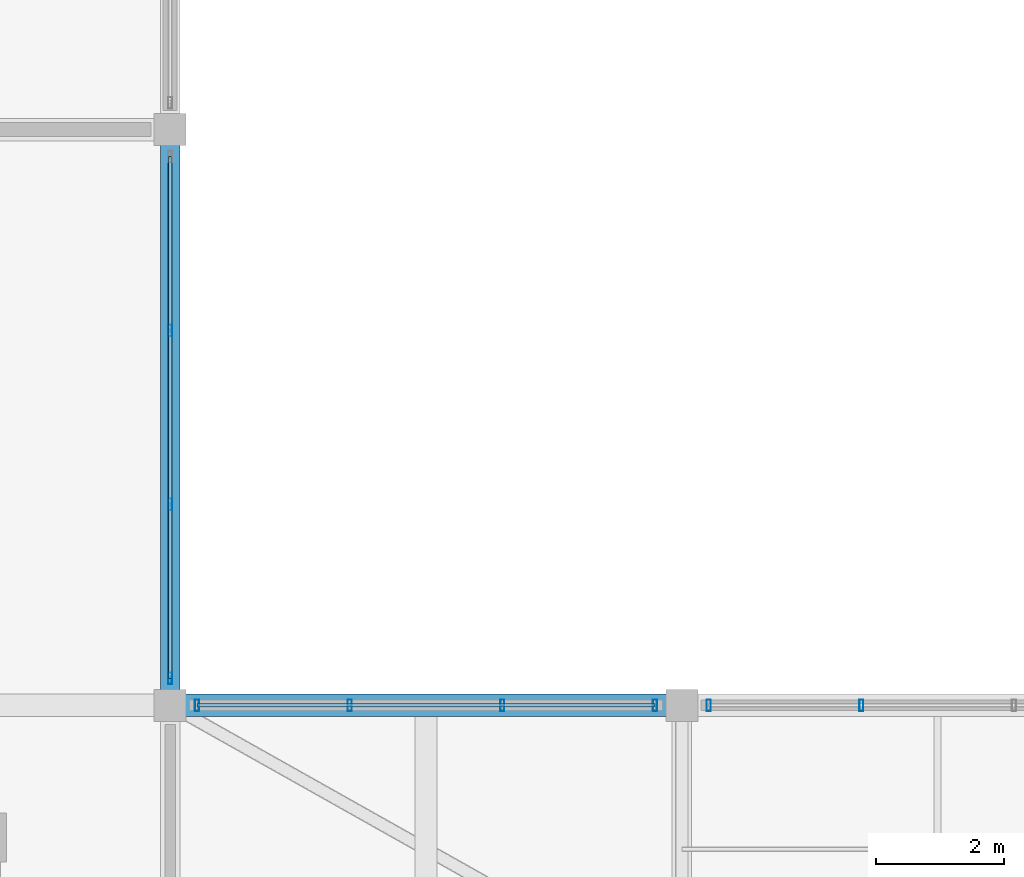
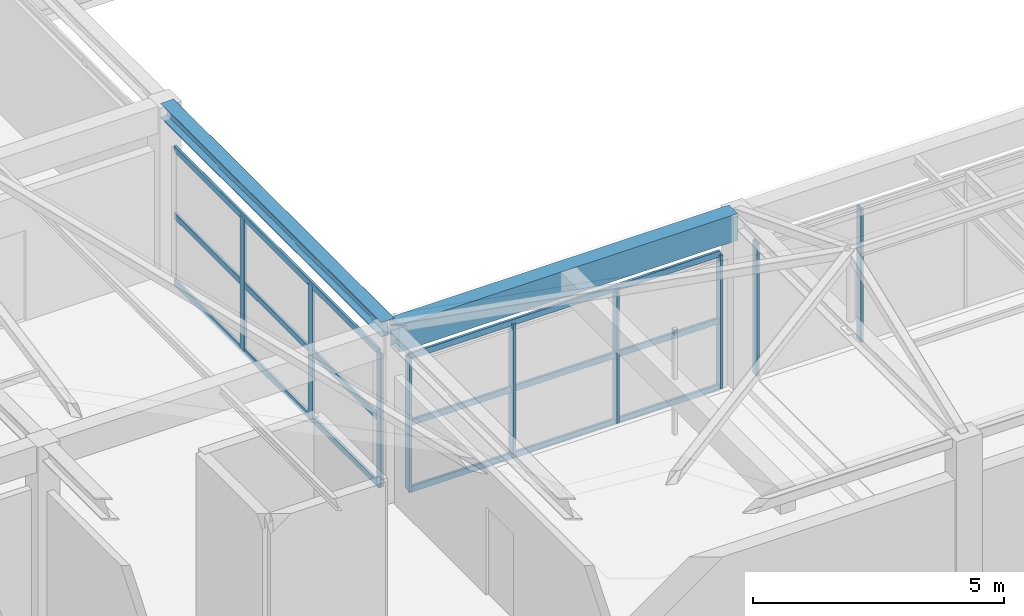
# One storey, part 24 of 65: 15 members, 2 beams, 3 elements without a shape of their own.
"""IFC4 building model written with IfcOpenShell, lengths in metres."""

from ifc_helpers import new_model, si_unit, direction, frame, origin, origin_2d, place, context, subcontext, project, spatial, rectangle, hollow_rectangle, i_section, extrude, material, material_profile, profile_set, type_object, element, aggregate, save


model = new_model("IFC4")

# Units and contexts
model_context = context("Model", 3, precision=1e-05, world=origin(), true_north=direction((0.0, 1.0)))
body_context = subcontext(model_context, "Body", "Model", "MODEL_VIEW")
ifc_project = project(units=[si_unit("LENGTHUNIT", "METRE"), si_unit("AREAUNIT", "SQUARE_METRE"), si_unit("VOLUMEUNIT", "CUBIC_METRE"), si_unit("PLANEANGLEUNIT", "RADIAN"), si_unit("MASSUNIT", "GRAM", prefix="KILO")], contexts=[model_context])

# Site, building, storey
site_placement = place(None, origin())
site = spatial("IfcSite", under=ifc_project, at=site_placement, CompositionType="ELEMENT")
building_placement = place(site_placement, origin())
building = spatial("IfcBuilding", under=site, at=building_placement, Name="Varnabhumi Central Station", CompositionType="ELEMENT")
storey_placement = place(building_placement, frame((0.0, 0.0, 24.60009765625)))
storey = spatial("IfcBuildingStorey", under=building, at=storey_placement, Name="L05", CompositionType="ELEMENT", Elevation=24.60009765625)

# Beams
ifc_material_1 = material(Name="Concrete M40", Category="concrete")
ifc_material_profile_1 = material_profile(ifc_material_1, rectangle(XDim=0.35009765625, YDim=0.64990234375, at=origin_2d()), Name="Concrete M40", Category="concrete")
ifc_profile_set_1 = profile_set([ifc_material_profile_1], Name="Concrete M40")
beam_type_1 = type_object("IfcBeamType", Name="BM-RC-350x650", PredefinedType="BEAM", material=ifc_profile_set_1)
beam_1_placement = place(storey_placement, frame((112.10009765625, 9.0, 3.875), z_axis=(1.0, 0.0, 0.0), x_axis=(0.0, 1.0, 0.0)))
element("IfcBeam", 1, at=beam_1_placement, inside=storey, type_object=beam_type_1, Name="Beam L05-B:15-16", PredefinedType="BEAM", context=body_context, shape_type="SweptSolid", body=[
    extrude(rectangle(XDim=0.35009765625, YDim=0.64990234375, at=origin_2d()), origin(), (0.0, 0.0, 1.0), 7.7998046875),
])
ifc_material_2 = material(Name="Structural steel E350", Category="steel")
ifc_material_profile_2 = material_profile(ifc_material_2, i_section(OverallWidth=0.300048828125, OverallDepth=0.360107421875, WebThickness=0.012451171875, FlangeThickness=0.0224609375, FilletRadius=0.027099609375, at=origin_2d()), Name="Structural steel E350", Category="steel")
ifc_profile_set_2 = profile_set([ifc_material_profile_2], Name="Structural steel E350")
beam_type_2 = type_object("IfcBeamType", Name="BM-STL-WPB360", PredefinedType="BEAM", material=ifc_profile_set_2)
beam_2_placement = place(storey_placement, frame((112.0, 9.10009765625, 4.02001953125), z_axis=(0.0, 1.0, 0.0), x_axis=(-1.0, 0.0, 0.0)))
element("IfcBeam", 2, at=beam_2_placement, inside=storey, type_object=beam_type_2, Name="Beam L05-15:B-C", PredefinedType="BEAM", context=body_context, shape_type="SweptSolid", body=[
    extrude(i_section(OverallWidth=0.300048828125, OverallDepth=0.360107421875, WebThickness=0.012451171875, FlangeThickness=0.0224609375, FilletRadius=0.027099609375, at=origin_2d()), origin(), (0.0, 0.0, 1.0), 8.7998046875),
])

# Curtain wall, members
ifc_material_3 = material(Name="Anodised aluminium 6063-T6", Category="aluminium")
curtain_wall_type = type_object("IfcCurtainWallType", Name="CW-PATIO-LOGGIA-L3", PredefinedType="NOTDEFINED", material=ifc_material_3)
curtain_wall_1_placement = place(storey_placement, origin())
curtain_wall_1 = element("IfcCurtainWall", 3, at=curtain_wall_1_placement, inside=storey, type_object=curtain_wall_type, Name="Curtain Wall CW-SP5E1", PredefinedType="NOTDEFINED")
ifc_material_profile_3 = material_profile(ifc_material_3, hollow_rectangle(XDim=0.06494140625, YDim=0.179931640625, WallThickness=0.00390625, InnerFilletRadius=0.001953125, OuterFilletRadius=0.006103515625, at=origin_2d()), Name="Anodised aluminium 6063-T6", Category="aluminium")
ifc_profile_set_3 = profile_set([ifc_material_profile_3], Name="Anodised aluminium 6063-T6")
member_type_1 = type_object("IfcMemberType", Name="CW-MUL-180", PredefinedType="MULLION", material=ifc_profile_set_3)
member_1_placement = place(storey_placement, frame((112.0, 9.419921875, 0.0), z_axis=(0.0, 0.0, 1.0), x_axis=(1.0, 0.0, 0.0)))
member_1 = element("IfcMember", 4, at=member_1_placement, type_object=member_type_1, Name="Curtain Wall Mullion CW-SP5E1-M1", PredefinedType="MULLION", context=body_context, shape_type="SweptSolid", body=[
    extrude(hollow_rectangle(XDim=0.06494140625, YDim=0.179931640625, WallThickness=0.00390625, InnerFilletRadius=0.001953125, OuterFilletRadius=0.006103515625, at=origin_2d()), origin(), (0.0, 0.0, 1.0), 3.239990234375),
])
member_2_placement = place(storey_placement, frame((112.0, 12.139892578125, 0.0), z_axis=(0.0, 0.0, 1.0), x_axis=(1.0, 0.0, 0.0)))
member_2 = element("IfcMember", 5, at=member_2_placement, type_object=member_type_1, Name="Curtain Wall Mullion CW-SP5E1-M2", PredefinedType="MULLION", context=body_context, shape_type="SweptSolid", body=[
    extrude(hollow_rectangle(XDim=0.06494140625, YDim=0.179931640625, WallThickness=0.00390625, InnerFilletRadius=0.001953125, OuterFilletRadius=0.006103515625, at=origin_2d()), origin(), (0.0, 0.0, 1.0), 3.239990234375),
])
member_3_placement = place(storey_placement, frame((112.0, 14.860107421875, 0.0), z_axis=(0.0, 0.0, 1.0), x_axis=(1.0, 0.0, 0.0)))
member_3 = element("IfcMember", 6, at=member_3_placement, type_object=member_type_1, Name="Curtain Wall Mullion CW-SP5E1-M3", PredefinedType="MULLION", context=body_context, shape_type="SweptSolid", body=[
    extrude(hollow_rectangle(XDim=0.06494140625, YDim=0.179931640625, WallThickness=0.00390625, InnerFilletRadius=0.001953125, OuterFilletRadius=0.006103515625, at=origin_2d()), origin(), (0.0, 0.0, 1.0), 3.239990234375),
])

curtain_wall_2_placement = place(storey_placement, origin())
curtain_wall_2 = element("IfcCurtainWall", 7, at=curtain_wall_2_placement, inside=storey, type_object=curtain_wall_type, Name="Curtain Wall CW-SP5S1", PredefinedType="NOTDEFINED")
member_4_placement = place(storey_placement, frame((112.419921875, 9.0, 0.0), z_axis=(0.0, 0.0, 1.0), x_axis=(1.0, 0.0, 0.0)))
member_4 = element("IfcMember", 8, at=member_4_placement, type_object=member_type_1, Name="Curtain Wall Mullion CW-SP5S1-M1", PredefinedType="MULLION", context=body_context, shape_type="SweptSolid", body=[
    extrude(hollow_rectangle(XDim=0.06494140625, YDim=0.179931640625, WallThickness=0.00390625, InnerFilletRadius=0.001953125, OuterFilletRadius=0.006103515625, at=origin_2d()), origin(), (0.0, 0.0, 1.0), 3.239990234375),
])
member_5_placement = place(storey_placement, frame((114.806640625, 9.0, 0.0), z_axis=(0.0, 0.0, 1.0), x_axis=(1.0, 0.0, 0.0)))
member_5 = element("IfcMember", 9, at=member_5_placement, type_object=member_type_1, Name="Curtain Wall Mullion CW-SP5S1-M2", PredefinedType="MULLION", context=body_context, shape_type="SweptSolid", body=[
    extrude(hollow_rectangle(XDim=0.06494140625, YDim=0.179931640625, WallThickness=0.00390625, InnerFilletRadius=0.001953125, OuterFilletRadius=0.006103515625, at=origin_2d()), origin(), (0.0, 0.0, 1.0), 3.239990234375),
])
member_6_placement = place(storey_placement, frame((117.193359375, 9.0, 0.0), z_axis=(0.0, 0.0, 1.0), x_axis=(1.0, 0.0, 0.0)))
member_6 = element("IfcMember", 10, at=member_6_placement, type_object=member_type_1, Name="Curtain Wall Mullion CW-SP5S1-M3", PredefinedType="MULLION", context=body_context, shape_type="SweptSolid", body=[
    extrude(hollow_rectangle(XDim=0.06494140625, YDim=0.179931640625, WallThickness=0.00390625, InnerFilletRadius=0.001953125, OuterFilletRadius=0.006103515625, at=origin_2d()), origin(), (0.0, 0.0, 1.0), 3.239990234375),
])
member_7_placement = place(storey_placement, frame((119.580078125, 9.0, 0.0), z_axis=(0.0, 0.0, 1.0), x_axis=(1.0, 0.0, 0.0)))
member_7 = element("IfcMember", 11, at=member_7_placement, type_object=member_type_1, Name="Curtain Wall Mullion CW-SP5S1-M4", PredefinedType="MULLION", context=body_context, shape_type="SweptSolid", body=[
    extrude(hollow_rectangle(XDim=0.06494140625, YDim=0.179931640625, WallThickness=0.00390625, InnerFilletRadius=0.001953125, OuterFilletRadius=0.006103515625, at=origin_2d()), origin(), (0.0, 0.0, 1.0), 3.239990234375),
])

curtain_wall_3_placement = place(storey_placement, origin())
curtain_wall_3 = element("IfcCurtainWall", 12, at=curtain_wall_3_placement, inside=storey, type_object=curtain_wall_type, Name="Curtain Wall CW-SP5S2", PredefinedType="NOTDEFINED")
member_8_placement = place(storey_placement, frame((120.419921875, 9.0, 0.0), z_axis=(0.0, 0.0, 1.0), x_axis=(1.0, 0.0, 0.0)))
member_8 = element("IfcMember", 13, at=member_8_placement, type_object=member_type_1, Name="Curtain Wall Mullion CW-SP5S2-M1", PredefinedType="MULLION", context=body_context, shape_type="SweptSolid", body=[
    extrude(hollow_rectangle(XDim=0.06494140625, YDim=0.179931640625, WallThickness=0.00390625, InnerFilletRadius=0.001953125, OuterFilletRadius=0.006103515625, at=origin_2d()), origin(), (0.0, 0.0, 1.0), 3.239990234375),
])
member_9_placement = place(storey_placement, frame((122.806640625, 9.0, 0.0), z_axis=(0.0, 0.0, 1.0), x_axis=(1.0, 0.0, 0.0)))
member_9 = element("IfcMember", 14, at=member_9_placement, type_object=member_type_1, Name="Curtain Wall Mullion CW-SP5S2-M2", PredefinedType="MULLION", context=body_context, shape_type="SweptSolid", body=[
    extrude(hollow_rectangle(XDim=0.06494140625, YDim=0.179931640625, WallThickness=0.00390625, InnerFilletRadius=0.001953125, OuterFilletRadius=0.006103515625, at=origin_2d()), origin(), (0.0, 0.0, 1.0), 3.239990234375),
])
aggregate(curtain_wall_3, [member_8, member_9])

# Member
ifc_material_profile_4 = material_profile(ifc_material_3, hollow_rectangle(XDim=0.06005859375, YDim=0.14990234375, WallThickness=0.00390625, InnerFilletRadius=0.001953125, OuterFilletRadius=0.006103515625, at=origin_2d()), Name="Anodised aluminium 6063-T6", Category="aluminium")
ifc_profile_set_4 = profile_set([ifc_material_profile_4], Name="Anodised aluminium 6063-T6")
member_type_2 = type_object("IfcMemberType", Name="CW-TR-150", PredefinedType="USERDEFINED", material=ifc_profile_set_4)
member_10_placement = place(storey_placement, frame((112.0, 9.419921875, 0.0), z_axis=(0.0, 1.0, 0.0), x_axis=(-1.0, 0.0, 0.0)))
member_10 = element("IfcMember", 15, at=member_10_placement, type_object=member_type_2, Name="Curtain Wall Transom CW-SP5E1-T1", ObjectType="TRANSOM", PredefinedType="USERDEFINED", context=body_context, shape_type="SweptSolid", body=[
    extrude(hollow_rectangle(XDim=0.06005859375, YDim=0.14990234375, WallThickness=0.00390625, InnerFilletRadius=0.001953125, OuterFilletRadius=0.006103515625, at=origin_2d()), origin(), (0.0, 0.0, 1.0), 8.16015625),
])

member_11_placement = place(storey_placement, frame((112.0, 9.419921875, 1.619873046875), z_axis=(0.0, 1.0, 0.0), x_axis=(-1.0, 0.0, 0.0)))
member_11 = element("IfcMember", 16, at=member_11_placement, type_object=member_type_2, Name="Curtain Wall Transom CW-SP5E1-T2", ObjectType="TRANSOM", PredefinedType="USERDEFINED", context=body_context, shape_type="SweptSolid", body=[
    extrude(hollow_rectangle(XDim=0.06005859375, YDim=0.14990234375, WallThickness=0.00390625, InnerFilletRadius=0.001953125, OuterFilletRadius=0.006103515625, at=origin_2d()), origin(), (0.0, 0.0, 1.0), 8.16015625),
])

member_12_placement = place(storey_placement, frame((112.0, 9.419921875, 3.239990234375), z_axis=(0.0, 1.0, 0.0), x_axis=(-1.0, 0.0, 0.0)))
member_12 = element("IfcMember", 17, at=member_12_placement, type_object=member_type_2, Name="Curtain Wall Transom CW-SP5E1-T3", ObjectType="TRANSOM", PredefinedType="USERDEFINED", context=body_context, shape_type="SweptSolid", body=[
    extrude(hollow_rectangle(XDim=0.06005859375, YDim=0.14990234375, WallThickness=0.00390625, InnerFilletRadius=0.001953125, OuterFilletRadius=0.006103515625, at=origin_2d()), origin(), (0.0, 0.0, 1.0), 8.16015625),
])

aggregate(curtain_wall_1, [member_1, member_2, member_3, member_10, member_11, member_12])

member_13_placement = place(storey_placement, frame((112.419921875, 9.0, 0.0), z_axis=(1.0, 0.0, 0.0), x_axis=(0.0, 1.0, 0.0)))
member_13 = element("IfcMember", 18, at=member_13_placement, type_object=member_type_2, Name="Curtain Wall Transom CW-SP5S1-T1", ObjectType="TRANSOM", PredefinedType="USERDEFINED", context=body_context, shape_type="SweptSolid", body=[
    extrude(hollow_rectangle(XDim=0.06005859375, YDim=0.14990234375, WallThickness=0.00390625, InnerFilletRadius=0.001953125, OuterFilletRadius=0.006103515625, at=origin_2d()), origin(), (0.0, 0.0, 1.0), 7.16015625),
])

member_14_placement = place(storey_placement, frame((112.419921875, 9.0, 1.619873046875), z_axis=(1.0, 0.0, 0.0), x_axis=(0.0, 1.0, 0.0)))
member_14 = element("IfcMember", 19, at=member_14_placement, type_object=member_type_2, Name="Curtain Wall Transom CW-SP5S1-T2", ObjectType="TRANSOM", PredefinedType="USERDEFINED", context=body_context, shape_type="SweptSolid", body=[
    extrude(hollow_rectangle(XDim=0.06005859375, YDim=0.14990234375, WallThickness=0.00390625, InnerFilletRadius=0.001953125, OuterFilletRadius=0.006103515625, at=origin_2d()), origin(), (0.0, 0.0, 1.0), 7.16015625),
])

member_15_placement = place(storey_placement, frame((112.419921875, 9.0, 3.239990234375), z_axis=(1.0, 0.0, 0.0), x_axis=(0.0, 1.0, 0.0)))
member_15 = element("IfcMember", 20, at=member_15_placement, type_object=member_type_2, Name="Curtain Wall Transom CW-SP5S1-T3", ObjectType="TRANSOM", PredefinedType="USERDEFINED", context=body_context, shape_type="SweptSolid", body=[
    extrude(hollow_rectangle(XDim=0.06005859375, YDim=0.14990234375, WallThickness=0.00390625, InnerFilletRadius=0.001953125, OuterFilletRadius=0.006103515625, at=origin_2d()), origin(), (0.0, 0.0, 1.0), 7.16015625),
])

aggregate(curtain_wall_2, [member_4, member_5, member_6, member_7, member_13, member_14, member_15])

save(model, "model.ifc")
